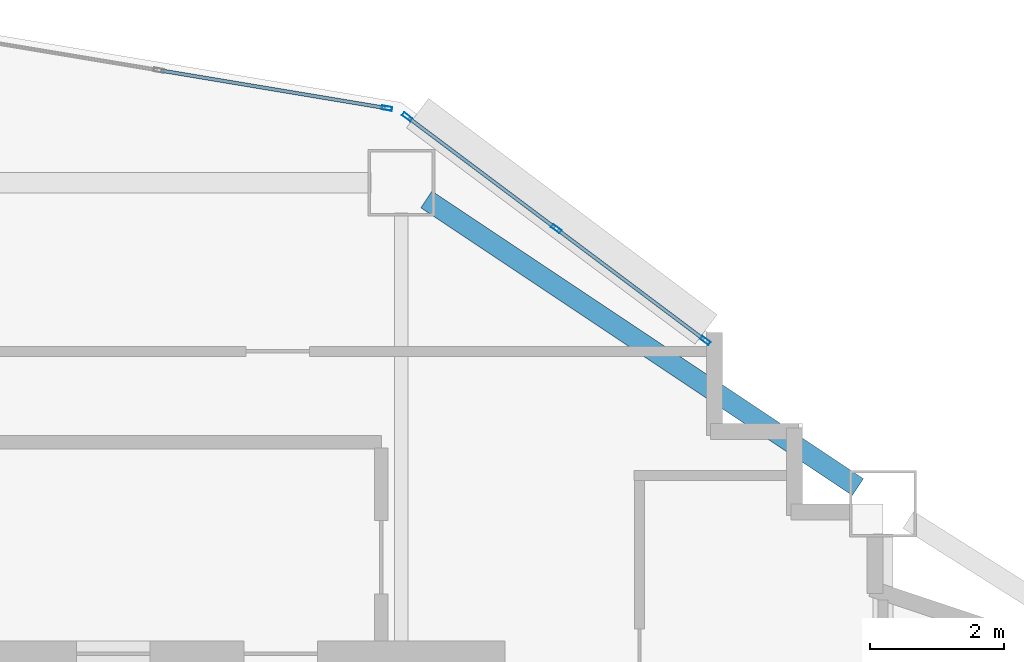
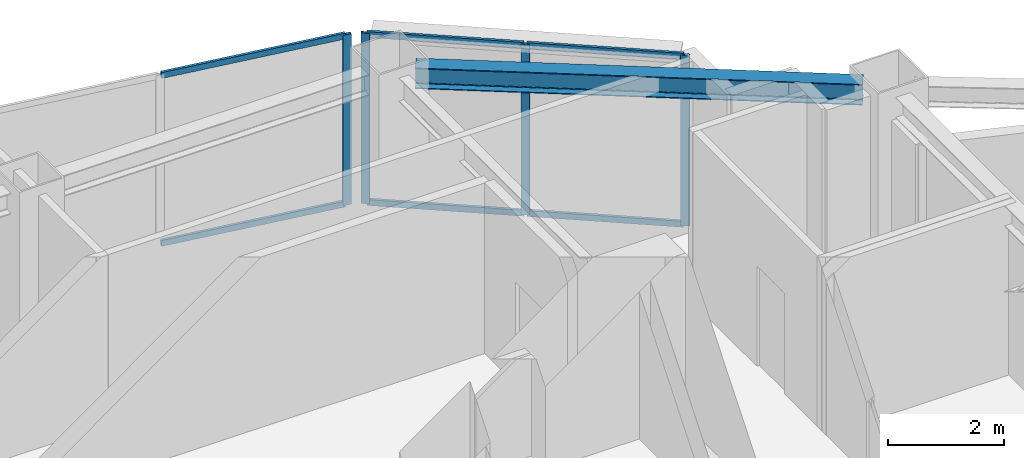
# One storey, part 3 of 14: 10 members, 1 beam, 2 elements without a shape of their own.
"""IFC4 building model written with IfcOpenShell, lengths in metres."""

import ifcopenshell
import ifcopenshell.guid

model = None  # the IFC model being written
_history = None  # IfcOwnerHistory: only IFC2X3 demands one
_inside = {}  # id of a spatial element -> (the spatial element, [elements in it])
_under = {}  # id of a project, library or spatial element -> (it, [spatial elements below it])
_declared = {}  # id of a project -> (the project, [libraries it declares])
_typed = {}  # id of a type object -> (the type object, [elements of that type])
_made_of = {}  # id of a material, layer set ... -> (it, [elements and type objects made of it])


def new_model(schema):
    """Start an empty IFC model of exactly this schema.

    Asked for "IFC4X3", IfcOpenShell would pick the latest addendum, in which some entities
    have other attributes; the version numbers below select the first issue.
    IFC2X3 requires an IfcOwnerHistory on every rooted entity: one is made here for all.
    """
    global model, _history
    if schema == "IFC4X3":
        model = ifcopenshell.file(schema_version=(4, 3, 0, 0))
    else:
        model = ifcopenshell.file(schema=schema)
    _inside.clear()
    _under.clear()
    _declared.clear()
    _typed.clear()
    _made_of.clear()
    _history = None
    if model.schema == "IFC2X3":
        org = make("IfcOrganization", Name="unknown")
        user = make(
            "IfcPersonAndOrganization",
            ThePerson=make("IfcPerson", FamilyName="unknown"),
            TheOrganization=org,
        )
        app = make(
            "IfcApplication",
            ApplicationDeveloper=org,
            Version="unknown",
            ApplicationFullName="unknown",
            ApplicationIdentifier="unknown",
        )
        _history = make(
            "IfcOwnerHistory",
            OwningUser=user,
            OwningApplication=app,
            ChangeAction="ADDED",
            CreationDate=0,
        )
    return model


def make(cls, **values):
    """One entity of the class cls with the attributes given. An attribute that is None is left unset."""
    return model.create_entity(
        cls, **{name: value for name, value in values.items() if value is not None}
    )


def rooted(cls, **values):
    """An entity with a GlobalId (a new one), such as an element, a storey or a relation."""
    return make(cls, GlobalId=ifcopenshell.guid.new(), OwnerHistory=_history, **values)


def si_unit(unit_type, name, prefix=None):
    """IfcSIUnit, for example si_unit("LENGTHUNIT", "METRE", prefix="MILLI")."""
    return make("IfcSIUnit", UnitType=unit_type, Prefix=prefix, Name=name)


def assignment(units):
    """IfcUnitAssignment: the units of a project."""
    return None if units is None else make("IfcUnitAssignment", Units=units)


def point(xyz):
    """IfcCartesianPoint."""
    return None if xyz is None else make("IfcCartesianPoint", Coordinates=xyz)


def direction(xyz):
    """IfcDirection."""
    return None if xyz is None else make("IfcDirection", DirectionRatios=xyz)


def frame(location, z_axis=None, x_axis=None):
    """IfcAxis2Placement3D, a coordinate frame: its origin and axes. An axis left out is left unset."""
    return make(
        "IfcAxis2Placement3D",
        Location=point(location),
        Axis=direction(z_axis),
        RefDirection=direction(x_axis),
    )


def frame_2d(location, x_axis=None):
    """IfcAxis2Placement2D, a coordinate frame in the plane: its origin and x axis."""
    return make(
        "IfcAxis2Placement2D", Location=point(location), RefDirection=direction(x_axis)
    )


def origin():
    """The frame at (0, 0, 0) with its axes left unset."""
    return frame((0.0, 0.0, 0.0))


def origin_2d():
    """The frame at (0, 0) in the plane with its x axis left unset."""
    return frame_2d((0.0, 0.0))


def place(relative_to, where):
    """IfcLocalPlacement: puts the frame where relative to a parent placement (None: the world)."""
    return make(
        "IfcLocalPlacement", PlacementRelTo=relative_to, RelativePlacement=where
    )


def context(
    kind, dimensions, precision=None, world=None, true_north=None, identifier=None
):
    """IfcGeometricRepresentationContext, for example the 3D "Model" context."""
    return make(
        "IfcGeometricRepresentationContext",
        ContextIdentifier=identifier,
        ContextType=kind,
        CoordinateSpaceDimension=dimensions,
        Precision=precision,
        WorldCoordinateSystem=world,
        TrueNorth=true_north,
    )


def subcontext(parent, identifier, kind, view, scale=None):
    """IfcGeometricRepresentationSubContext, for example "Body" below "Model"."""
    return make(
        "IfcGeometricRepresentationSubContext",
        ContextIdentifier=identifier,
        ContextType=kind,
        ParentContext=parent,
        TargetScale=scale,
        TargetView=view,
    )


def project(units=None, contexts=None):
    """IfcProject with its units and contexts."""
    return rooted(
        "IfcProject",
        Name="project",
        RepresentationContexts=contexts,
        UnitsInContext=assignment(units),
    )


def spatial(cls, under=None, at=None, **own):
    """A site, building, storey or space (cls), placed at a placement, below another one or the project."""
    s = rooted(cls, ObjectPlacement=at, **own)
    if under is not None:
        _under.setdefault(under.id(), (under, []))[1].append(s)
    return s


def profile(cls, at=None, kind="AREA", **sizes):
    """A parametric profile (cls). Its sizes go by their IFC names, for example OverallWidth=200.0."""
    return make(cls, ProfileType=kind, Position=at, **sizes)


def hollow_rectangle(**sizes):
    """IfcRectangleHollowProfileDef."""
    return profile("IfcRectangleHollowProfileDef", **sizes)


def i_section(**sizes):
    """IfcIShapeProfileDef."""
    return profile("IfcIShapeProfileDef", **sizes)


def extrude(swept, where, along, depth):
    """IfcExtrudedAreaSolid: the profile swept, set in the frame where, extruded along a direction by depth."""
    return make(
        "IfcExtrudedAreaSolid",
        SweptArea=swept,
        Position=where,
        ExtrudedDirection=direction(along),
        Depth=depth,
    )


def shape(context_of_items, identifier, shape_type, items):
    """IfcShapeRepresentation: the items that make up one representation, for example the "Body"."""
    return make(
        "IfcShapeRepresentation",
        ContextOfItems=context_of_items,
        RepresentationIdentifier=identifier,
        RepresentationType=shape_type,
        Items=items,
    )


def material(Name=None, Category=None):
    """IfcMaterial."""
    return make("IfcMaterial", Name=Name, Category=Category)


def layer(
    of_material, thickness, ventilated=None, Name=None, Category=None, Priority=None
):
    """IfcMaterialLayer: one layer of a wall or slab, of a material (None: an air gap)."""
    return make(
        "IfcMaterialLayer",
        Material=of_material,
        LayerThickness=thickness,
        IsVentilated=ventilated,
        Name=Name,
        Category=Category,
        Priority=Priority,
    )


def layer_set(layers, Name=None):
    """IfcMaterialLayerSet."""
    return make("IfcMaterialLayerSet", MaterialLayers=layers, LayerSetName=Name)


def material_profile(
    of_material, cross_section, Name=None, Category=None, Priority=None
):
    """IfcMaterialProfile: a cross section and its material."""
    return make(
        "IfcMaterialProfile",
        Name=Name,
        Material=of_material,
        Profile=cross_section,
        Priority=Priority,
        Category=Category,
    )


def profile_set(profiles, Name=None, composite=None):
    """IfcMaterialProfileSet."""
    return make(
        "IfcMaterialProfileSet",
        Name=Name,
        MaterialProfiles=profiles,
        CompositeProfile=composite,
    )


def made_of(thing, what):
    """Note that an element or type object is made of a material, layer set ...; save() writes the relation."""
    if what is not None:
        _made_of.setdefault(what.id(), (what, []))[1].append(thing)
    return thing


def type_object(cls, material=None, **own):
    """A type object (cls), such as IfcWallType, which elements share."""
    return made_of(rooted(cls, **own), material)


def element(
    cls,
    number,
    at=None,
    inside=None,
    cuts=None,
    type_object=None,
    material=None,
    context=None,
    identifier="Body",
    shape_type=None,
    held_by="IfcProductDefinitionShape",
    body=None,
    shapes=None,
    **own,
):
    """One element of the class cls, such as IfcWall. Its Tag is "e" and its number.

    at: its placement. inside: the storey or other place that contains it. cuts: it is an
    opening in that element (IfcRelVoidsElement). A single representation is given by context,
    identifier, shape_type and body (its items); several are given by shapes. held_by: the class
    of the entity that holds the representations. save() writes the other relations.
    """
    e = rooted(cls, Tag="e%d" % number, ObjectPlacement=at, **own)
    if body is not None:
        shapes = [shape(context, identifier, shape_type, body)]
    if shapes is not None:
        e.Representation = make(held_by, Representations=shapes)
    if inside is not None:
        _inside.setdefault(inside.id(), (inside, []))[1].append(e)
    if cuts is not None:
        rooted(
            "IfcRelVoidsElement", RelatingBuildingElement=cuts, RelatedOpeningElement=e
        )
    if type_object is not None:
        _typed.setdefault(type_object.id(), (type_object, []))[1].append(e)
    return made_of(e, material)


def aggregate(whole, parts):
    """IfcRelAggregates: a whole, such as a stair, and the parts it consists of."""
    return rooted("IfcRelAggregates", RelatingObject=whole, RelatedObjects=parts)


def save(model, path):
    """Write the relations noted so far, then the file.

    IfcRelAggregates (storeys below a building ...), IfcRelContainedInSpatialStructure (elements
    in a storey), IfcRelDefinesByType, IfcRelAssociatesMaterial and IfcRelDeclares: one each for
    every whole, place, type object, material and project.
    """
    for whole, parts in _under.values():
        aggregate(whole, parts)
    for where, things in _inside.values():
        rooted(
            "IfcRelContainedInSpatialStructure",
            RelatedElements=things,
            RelatingStructure=where,
        )
    for kind, things in _typed.values():
        rooted("IfcRelDefinesByType", RelatedObjects=things, RelatingType=kind)
    for what, things in _made_of.values():
        rooted("IfcRelAssociatesMaterial", RelatedObjects=things, RelatingMaterial=what)
    for by, libraries in _declared.values():
        rooted("IfcRelDeclares", RelatingContext=by, RelatedDefinitions=libraries)
    model.write(path)


model = new_model("IFC4")

# Units and contexts
model_context = context("Model", 3, precision=1e-05, world=origin(), true_north=direction((0.0, 1.0)))
body_context = subcontext(model_context, "Body", "Model", "MODEL_VIEW")
ifc_project = project(units=[si_unit("LENGTHUNIT", "METRE"), si_unit("AREAUNIT", "SQUARE_METRE"), si_unit("VOLUMEUNIT", "CUBIC_METRE"), si_unit("PLANEANGLEUNIT", "RADIAN"), si_unit("MASSUNIT", "GRAM", prefix="KILO")], contexts=[model_context])

# Site, building, storey
site_placement = place(None, origin())
site = spatial("IfcSite", under=ifc_project, at=site_placement, CompositionType="ELEMENT")
building_placement = place(site_placement, origin())
building = spatial("IfcBuilding", under=site, at=building_placement, Name="Haolan Belvedere Tower", CompositionType="ELEMENT")
storey_placement = place(building_placement, frame((0.0, 0.0, 113.60009765625)))
storey = spatial("IfcBuildingStorey", under=building, at=storey_placement, Name="L28", CompositionType="ELEMENT", Elevation=113.60009765625)

# Beam
ifc_material_1 = material(Name="Steel Q355B", Category="steel")
ifc_material_profile_1 = material_profile(ifc_material_1, i_section(OverallWidth=0.300048828125, OverallDepth=0.43994140625, WebThickness=0.010986328125, FlangeThickness=0.01806640625, FilletRadius=0.02392578125, at=origin_2d()), Name="Steel Q355B")
ifc_profile_set_1 = profile_set([ifc_material_profile_1], Name="Steel Q355B")
beam_type = type_object("IfcBeamType", Name="BM-HM440x300x11x18", PredefinedType="SPANDREL", material=ifc_profile_set_1)
beam_placement = place(storey_placement, frame((45.974365234375, 50.150390625, 3.3798828125), z_axis=(0.832050294338, -0.554700196225, 0.0), x_axis=(0.554700196225, 0.832050294338, 0.0)))
element("IfcBeam", 1, at=beam_placement, inside=storey, type_object=beam_type, Name="L28 spandrel girder MC-T3-N2-MC-T3-NE", PredefinedType="SPANDREL", context=body_context, shape_type="SweptSolid", body=[
    extrude(i_section(OverallWidth=0.300048828125, OverallDepth=0.43994140625, WebThickness=0.010986328125, FlangeThickness=0.01806640625, FilletRadius=0.02392578125, at=origin_2d()), origin(), (0.0, 0.0, 1.0), 7.75341796875),
])

# Curtain wall, members
ifc_material_2 = material(Name="Anodised champagne-silver aluminium 6063-T6 and Low-E glass", Category="aluminium")
ifc_layer = layer(ifc_material_2, 0.155029296875, Name="Anodised champagne-silver aluminium 6063-T6 and Low-E glass")
ifc_layer_set = layer_set([ifc_layer], Name="Anodised champagne-silver aluminium 6063-T6 and Low-E glass")
curtain_wall_type = type_object("IfcCurtainWallType", Name="CW-SYS-03", PredefinedType="NOTDEFINED", material=ifc_layer_set)
curtain_wall_1_placement = place(storey_placement, origin())
curtain_wall_1 = element("IfcCurtainWall", 2, at=curtain_wall_1_placement, inside=storey, type_object=curtain_wall_type, Name="L28 CW-SYS-03 ribbon curtain wall 26.1", PredefinedType="NOTDEFINED")
ifc_material_3 = material(Name="Anodised aluminium 6063-T6", Category="aluminium")
ifc_material_profile_2 = material_profile(ifc_material_3, hollow_rectangle(XDim=0.05810546875, YDim=0.155029296875, WallThickness=0.00390625, at=origin_2d()), Name="Anodised aluminium 6063-T6")
ifc_profile_set_2 = profile_set([ifc_material_profile_2], Name="Anodised aluminium 6063-T6")
member_type_1 = type_object("IfcMemberType", Name="CW-SYS-03-MUL", PredefinedType="MULLION", material=ifc_profile_set_2)
member_1_placement = place(storey_placement, frame((50.144775390625, 48.04150390625, 0.0), z_axis=(0.0, 0.0, 1.0), x_axis=(-0.599994316874, -0.800004262313, 0.0)))
member_1 = element("IfcMember", 3, at=member_1_placement, type_object=member_type_1, Name="CW-03 mullion 1", PredefinedType="MULLION", context=body_context, shape_type="SweptSolid", body=[
    extrude(hollow_rectangle(XDim=0.05810546875, YDim=0.155029296875, WallThickness=0.00390625, at=origin_2d()), origin(), (0.0, 0.0, 1.0), 3.599853515625),
])
member_2_placement = place(storey_placement, frame((47.915771484375, 49.713134765625, 0.0), z_axis=(0.0, 0.0, 1.0), x_axis=(-0.599994316874, -0.800004262313, 0.0)))
member_2 = element("IfcMember", 4, at=member_2_placement, type_object=member_type_1, Name="CW-03 mullion 2", PredefinedType="MULLION", context=body_context, shape_type="SweptSolid", body=[
    extrude(hollow_rectangle(XDim=0.05810546875, YDim=0.155029296875, WallThickness=0.00390625, at=origin_2d()), origin(), (0.0, 0.0, 1.0), 3.599853515625),
])
member_3_placement = place(storey_placement, frame((45.6865234375, 51.385009765625, 0.0), z_axis=(0.0, 0.0, 1.0), x_axis=(-0.599994316874, -0.800004262313, 0.0)))
member_3 = element("IfcMember", 5, at=member_3_placement, type_object=member_type_1, Name="CW-03 mullion 3", PredefinedType="MULLION", context=body_context, shape_type="SweptSolid", body=[
    extrude(hollow_rectangle(XDim=0.05810546875, YDim=0.155029296875, WallThickness=0.00390625, at=origin_2d()), origin(), (0.0, 0.0, 1.0), 3.599853515625),
])

# Curtain wall, member
curtain_wall_2_placement = place(storey_placement, origin())
curtain_wall_2 = element("IfcCurtainWall", 6, at=curtain_wall_2_placement, inside=storey, type_object=curtain_wall_type, Name="L28 CW-SYS-03 ribbon curtain wall 27.1", PredefinedType="NOTDEFINED")
member_4_placement = place(storey_placement, frame((45.384765625, 51.51416015625, 0.0), z_axis=(0.0, 0.0, 1.0), x_axis=(-0.16440364043, -0.9863931483, 0.0)))
member_4 = element("IfcMember", 7, at=member_4_placement, type_object=member_type_1, Name="CW-03 mullion 1", PredefinedType="MULLION", context=body_context, shape_type="SweptSolid", body=[
    extrude(hollow_rectangle(XDim=0.05810546875, YDim=0.155029296875, WallThickness=0.00390625, at=origin_2d()), origin(), (0.0, 0.0, 1.0), 3.599853515625),
])

# Member
ifc_material_profile_3 = material_profile(ifc_material_3, hollow_rectangle(XDim=0.053955078125, YDim=0.125, WallThickness=0.00390625, at=origin_2d()), Name="Anodised aluminium 6063-T6")
ifc_profile_set_3 = profile_set([ifc_material_profile_3], Name="Anodised aluminium 6063-T6")
member_type_2 = type_object("IfcMemberType", Name="CW-SYS-03-TRN", PredefinedType="USERDEFINED", material=ifc_profile_set_3)
member_5_placement = place(storey_placement, frame((50.12158203125, 48.058837890625, 0.02685546875), z_axis=(-0.8, 0.6, 0.0), x_axis=(-0.6, -0.8, 0.0)))
member_5 = element("IfcMember", 8, at=member_5_placement, type_object=member_type_2, Name="CW-03 transom 1.1", ObjectType="TRANSOM", PredefinedType="USERDEFINED", context=body_context, shape_type="SweptSolid", body=[
    extrude(hollow_rectangle(XDim=0.053955078125, YDim=0.125, WallThickness=0.00390625, at=origin_2d()), origin(), (0.0, 0.0, 1.0), 2.728271484375),
])

member_6_placement = place(storey_placement, frame((50.12158203125, 48.058837890625, 3.572998046875), z_axis=(-0.8, 0.6, 0.0), x_axis=(-0.6, -0.8, 0.0)))
member_6 = element("IfcMember", 9, at=member_6_placement, type_object=member_type_2, Name="CW-03 transom 1.2", ObjectType="TRANSOM", PredefinedType="USERDEFINED", context=body_context, shape_type="SweptSolid", body=[
    extrude(hollow_rectangle(XDim=0.053955078125, YDim=0.125, WallThickness=0.00390625, at=origin_2d()), origin(), (0.0, 0.0, 1.0), 2.728271484375),
])

member_7_placement = place(storey_placement, frame((47.892578125, 49.730712890625, 0.02685546875), z_axis=(-0.800032211306, 0.59995704919, 0.0), x_axis=(-0.59995704919, -0.800032211306, 0.0)))
member_7 = element("IfcMember", 10, at=member_7_placement, type_object=member_type_2, Name="CW-03 transom 2.1", ObjectType="TRANSOM", PredefinedType="USERDEFINED", context=body_context, shape_type="SweptSolid", body=[
    extrude(hollow_rectangle(XDim=0.053955078125, YDim=0.125, WallThickness=0.00390625, at=origin_2d()), origin(), (0.0, 0.0, 1.0), 2.728515625),
])

member_8_placement = place(storey_placement, frame((47.892578125, 49.730712890625, 3.572998046875), z_axis=(-0.800032211306, 0.59995704919, 0.0), x_axis=(-0.59995704919, -0.800032211306, 0.0)))
member_8 = element("IfcMember", 11, at=member_8_placement, type_object=member_type_2, Name="CW-03 transom 2.2", ObjectType="TRANSOM", PredefinedType="USERDEFINED", context=body_context, shape_type="SweptSolid", body=[
    extrude(hollow_rectangle(XDim=0.053955078125, YDim=0.125, WallThickness=0.00390625, at=origin_2d()), origin(), (0.0, 0.0, 1.0), 2.728515625),
])

aggregate(curtain_wall_1, [member_1, member_2, member_3, member_5, member_6, member_7, member_8])

member_9_placement = place(storey_placement, frame((45.356201171875, 51.51904296875, 0.02685546875), z_axis=(-0.986395865591, 0.16438733633, 0.0), x_axis=(-0.16438733633, -0.986395865591, 0.0)))
member_9 = element("IfcMember", 12, at=member_9_placement, type_object=member_type_2, Name="CW-03 transom 1.1", ObjectType="TRANSOM", PredefinedType="USERDEFINED", context=body_context, shape_type="SweptSolid", body=[
    extrude(hollow_rectangle(XDim=0.053955078125, YDim=0.125, WallThickness=0.00390625, at=origin_2d()), origin(), (0.0, 0.0, 1.0), 3.39794921875),
])

member_10_placement = place(storey_placement, frame((45.356201171875, 51.51904296875, 3.572998046875), z_axis=(-0.986395865591, 0.16438733633, 0.0), x_axis=(-0.16438733633, -0.986395865591, 0.0)))
member_10 = element("IfcMember", 13, at=member_10_placement, type_object=member_type_2, Name="CW-03 transom 1.2", ObjectType="TRANSOM", PredefinedType="USERDEFINED", context=body_context, shape_type="SweptSolid", body=[
    extrude(hollow_rectangle(XDim=0.053955078125, YDim=0.125, WallThickness=0.00390625, at=origin_2d()), origin(), (0.0, 0.0, 1.0), 3.39794921875),
])

aggregate(curtain_wall_2, [member_4, member_9, member_10])

save(model, "model.ifc")
